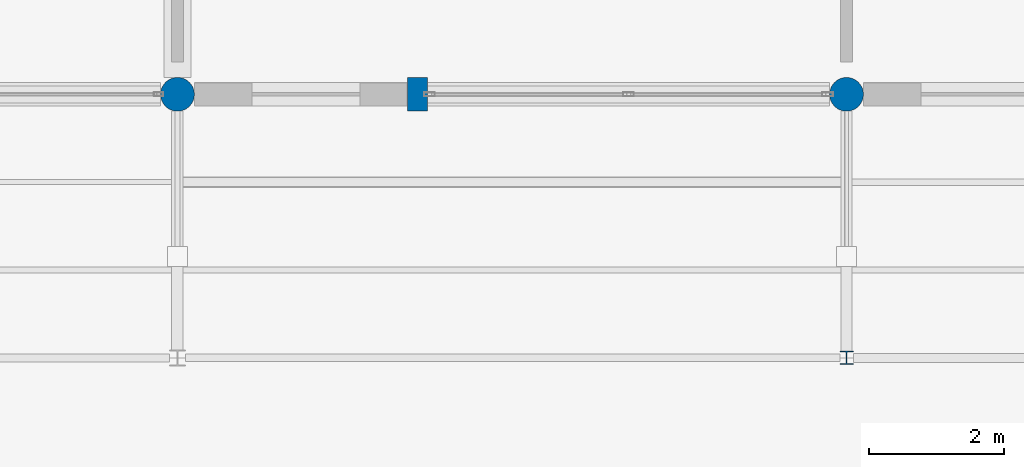
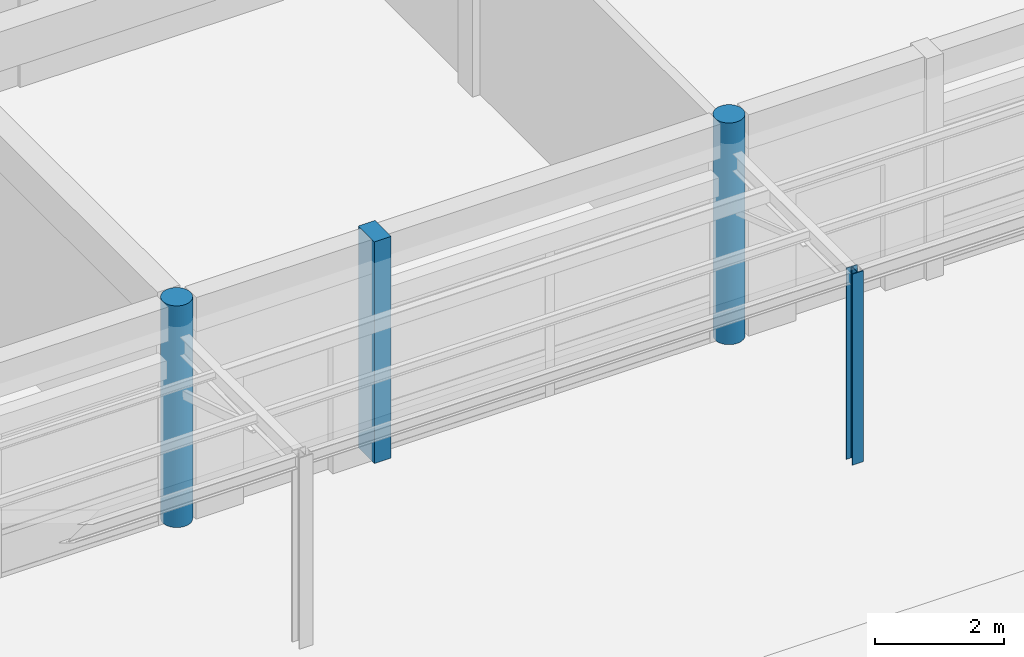
# One storey, part 3 of 75: 4 columns.
"""IFC4 building model written with IfcOpenShell, lengths in metres."""

from ifc_helpers import new_model, si_unit, direction, frame, origin, origin_2d, place, context, subcontext, project, spatial, rectangle, circle, i_section, extrude, material, material_profile, profile_set, type_object, element, save


model = new_model("IFC4")

# Units and contexts
model_context = context("Model", 3, precision=1e-05, world=origin(), true_north=direction((0.0, 1.0)))
body_context = subcontext(model_context, "Body", "Model", "MODEL_VIEW")
ifc_project = project(units=[si_unit("LENGTHUNIT", "METRE"), si_unit("AREAUNIT", "SQUARE_METRE"), si_unit("VOLUMEUNIT", "CUBIC_METRE"), si_unit("PLANEANGLEUNIT", "RADIAN"), si_unit("MASSUNIT", "GRAM", prefix="KILO")], contexts=[model_context])

# Site, building, storey
site_placement = place(None, origin())
site = spatial("IfcSite", under=ifc_project, at=site_placement, CompositionType="ELEMENT")
building_placement = place(site_placement, origin())
building = spatial("IfcBuilding", under=site, at=building_placement, Name="Kernevlak Ridge Housing Community", CompositionType="ELEMENT")
storey_placement = place(building_placement, origin())
storey = spatial("IfcBuildingStorey", under=building, at=storey_placement, Name="L00", CompositionType="ELEMENT", Elevation=0.0)

# Columns
ifc_material_1 = material(Name="Concrete C35/45", Category="concrete")
ifc_material_profile_1 = material_profile(ifc_material_1, circle(Radius=0.25, at=origin_2d()), Name="RC D500")
ifc_profile_set_1 = profile_set([ifc_material_profile_1], Name="Concrete C35/45")
column_type_1 = type_object("IfcColumnType", Name="C-10", PredefinedType="COLUMN", material=ifc_profile_set_1)
for number, where, z_axis, x_axis, name in (
    (1, (84.0, 7.800048828125, 0.0), (0.0, 0.0, 1.0), (1.0, 0.0, 0.0), "Column C-10 COL-POD-L00-144"),
    (2, (93.89990234375, 7.800048828125, 0.0), (0.0, 0.0, 1.0), (1.0, 0.0, 0.0), "Column C-10 COL-POD-L00-161"),
):
    element("IfcColumn", number, at=place(storey_placement, frame(where, z_axis=z_axis, x_axis=x_axis)), inside=storey, type_object=column_type_1, Name=name, PredefinedType="COLUMN", context=body_context, shape_type="SweptSolid", body=[
        extrude(circle(Radius=0.25, at=origin_2d()), origin(), (0.0, 0.0, 1.0), 4.199951171875),
    ])
ifc_material_profile_2 = material_profile(ifc_material_1, rectangle(XDim=0.300048828125, YDim=0.5, at=origin_2d()), Name="RC 300x500")
ifc_profile_set_2 = profile_set([ifc_material_profile_2], Name="Concrete C35/45")
column_type_2 = type_object("IfcColumnType", Name="C-11", PredefinedType="PILASTER", material=ifc_profile_set_2)
column_1_placement = place(storey_placement, frame((87.550048828125, 7.800048828125, 0.0), z_axis=(0.0, 0.0, 1.0), x_axis=(1.0, 0.0, 0.0)))
element("IfcColumn", 3, at=column_1_placement, inside=storey, type_object=column_type_2, Name="Column C-11 COL-PIL-L00-03", PredefinedType="PILASTER", context=body_context, shape_type="SweptSolid", body=[
    extrude(rectangle(XDim=0.300048828125, YDim=0.5, at=origin_2d()), origin(), (0.0, 0.0, 1.0), 4.199951171875),
])
ifc_material_2 = material(Name="Steel S355", Category="steel")
ifc_material_profile_3 = material_profile(ifc_material_2, i_section(OverallWidth=0.199951171875, OverallDepth=0.199951171875, WebThickness=0.009033203125, FlangeThickness=0.014892578125, FilletRadius=0.01806640625, at=origin_2d()), Name="HEB 200")
ifc_profile_set_3 = profile_set([ifc_material_profile_3], Name="Steel S355")
column_type_3 = type_object("IfcColumnType", Name="SC-05", PredefinedType="COLUMN", material=ifc_profile_set_3)
column_2_placement = place(storey_placement, frame((93.89990234375, 3.89990234375, 0.0), z_axis=(0.0, 0.0, 1.0), x_axis=(1.0, 0.0, 0.0)))
element("IfcColumn", 4, at=column_2_placement, inside=storey, type_object=column_type_3, Name="Column SC-05 COL-CAN-L00-03", PredefinedType="COLUMN", context=body_context, shape_type="SweptSolid", body=[
    extrude(i_section(OverallWidth=0.199951171875, OverallDepth=0.199951171875, WebThickness=0.009033203125, FlangeThickness=0.014892578125, FilletRadius=0.01806640625, at=origin_2d()), origin(), (0.0, 0.0, 1.0), 3.6201171875),
])

save(model, "model.ifc")
